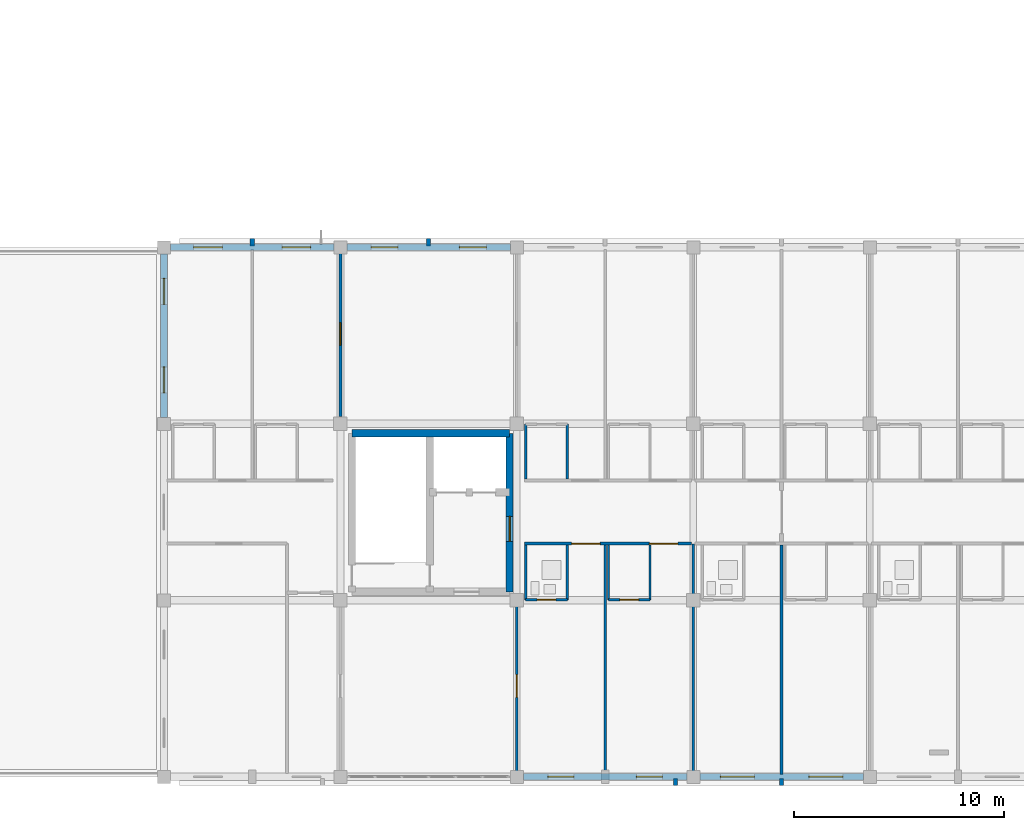
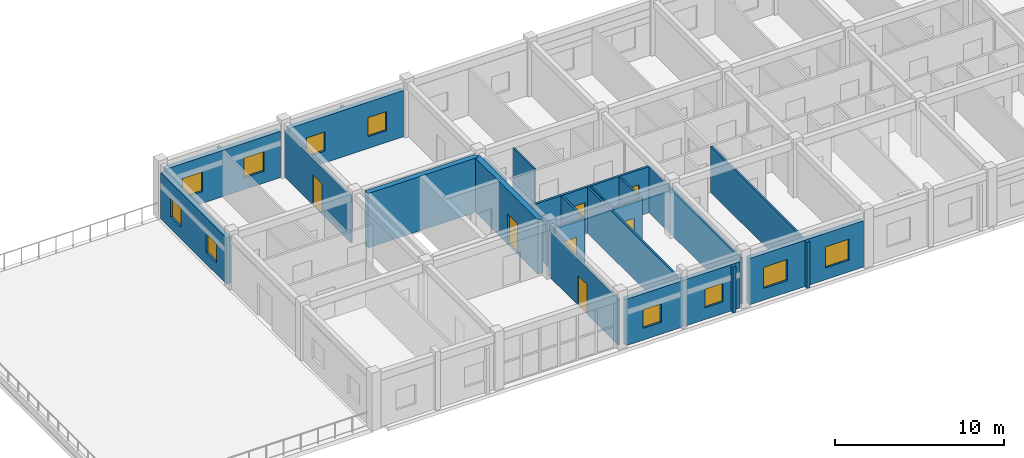
# One storey, part 58 of 81: 25 walls, 10 windows, 7 doors, 17 openings.
"""IFC4 building model written with IfcOpenShell, lengths in metres."""

from ifc_helpers import new_model, si_unit, direction, frame, frame_2d, origin, place, context, subcontext, project, spatial, rectangle, extrude, material, layer, layer_set, type_object, element, fill, save


model = new_model("IFC4")

# Units and contexts
model_context = context("Model", 3, precision=1e-05, world=origin(), true_north=direction((0.0, 1.0)))
body_context = subcontext(model_context, "Body", "Model", "MODEL_VIEW")
ifc_project = project(units=[si_unit("LENGTHUNIT", "METRE"), si_unit("AREAUNIT", "SQUARE_METRE"), si_unit("VOLUMEUNIT", "CUBIC_METRE"), si_unit("PLANEANGLEUNIT", "RADIAN"), si_unit("MASSUNIT", "GRAM", prefix="KILO")], contexts=[model_context])

# Site, building, storey
site_placement = place(None, origin())
site = spatial("IfcSite", under=ifc_project, at=site_placement, CompositionType="ELEMENT")
building_placement = place(site_placement, origin())
building = spatial("IfcBuilding", under=site, at=building_placement, Name="Trelvath General Hospital", CompositionType="ELEMENT")
storey_placement = place(building_placement, frame((0.0, 0.0, 24.60009765625)))
storey = spatial("IfcBuildingStorey", under=building, at=storey_placement, Name="L06", CompositionType="ELEMENT", Elevation=24.60009765625)

# Walls
ifc_material_1 = material(Name="Precast concrete C40/50", Category="concrete")
ifc_layer_1 = layer(ifc_material_1, 0.199951171875)
ifc_layer_set_1 = layer_set([ifc_layer_1], Name="Precast concrete C40/50")
wall_type_1 = type_object("IfcWallType", Name="BriseSoleilRib 200", PredefinedType="ELEMENTEDWALL", material=ifc_layer_set_1)
for number, where, z_axis, x_axis, name in (
    (1, (37.800048828125, 25.27490234375, 0.0), (0.0, 0.0, 1.0), (0.0, 1.0, 0.0), "Precast Concrete Brise-Soleil Rib Fin L06-411"),
    (2, (46.199951171875, 25.27490234375, 0.0), (0.0, 0.0, 1.0), (0.0, 1.0, 0.0), "Precast Concrete Brise-Soleil Rib Fin L06-417"),
    (3, (57.94970703125, -0.074951171875, 0.0), (0.0, 0.0, 1.0), (0.0, -1.0, 0.0), "Precast Concrete Brise-Soleil Rib Fin L06-419"),
    (4, (63.0, -0.074951171875, 0.0), (0.0, 0.0, 1.0), (0.0, -1.0, 0.0), "Precast Concrete Brise-Soleil Rib Fin L06-423"),
):
    element("IfcWall", number, at=place(storey_placement, frame(where, z_axis=z_axis, x_axis=x_axis)), inside=storey, type_object=wall_type_1, Name=name, PredefinedType="ELEMENTEDWALL", context=body_context, shape_type="SweptSolid", body=[
        extrude(rectangle(XDim=0.340087890625, YDim=0.199951171875, at=frame_2d((0.169921875, 0.0))), origin(), (0.0, 0.0, 1.0), 3.31982421875),
    ])

# Wall, openings, doors
ifc_material_2 = material(Name="Gypsum acoustic steel-stud partition", Category="steel")
ifc_layer_2 = layer(ifc_material_2, 0.14990234375)
ifc_layer_set_2 = layer_set([ifc_layer_2], Name="Gypsum acoustic steel-stud partition")
wall_type_2 = type_object("IfcWallType", Name="ClinicalPartition 150", PredefinedType="PARTITIONING", material=ifc_layer_set_2)
wall_1_placement = place(storey_placement, frame((50.760009765625, 11.10009765625, 0.0), z_axis=(0.0, 0.0, 1.0), x_axis=(1.0, 0.0, 0.0)))
wall_1 = element("IfcWall", 5, at=wall_1_placement, inside=storey, type_object=wall_type_2, Name="Corridor Partition L06-2046", PredefinedType="PARTITIONING", context=body_context, shape_type="SweptSolid", body=[
    extrude(rectangle(XDim=7.9599609375, YDim=0.14990234375, at=frame_2d((3.97998046875, 0.0))), origin(), (0.0, 0.0, 1.0), 3.31982421875),
])
opening_1_placement = place(wall_1_placement, frame((2.25, 0.0, 0.0)))
opening_1 = element("IfcOpeningElement", 6, at=opening_1_placement, cuts=wall_1, Name="Opening D-6-1317", PredefinedType="OPENING", context=body_context, shape_type="SweptSolid", body=[
    extrude(rectangle(XDim=1.35009765625, YDim=2.25, at=frame_2d((0.675048828125, 1.125))), frame((0.0, 0.0849609375, 0.0), z_axis=(0.0, -1.0, 0.0), x_axis=(1.0, 0.0, 0.0)), (0.0, 0.0, 1.0), 0.169921875),
])
opening_2_placement = place(wall_1_placement, frame((5.949951171875, 0.0, 0.0)))
opening_2 = element("IfcOpeningElement", 7, at=opening_2_placement, cuts=wall_1, Name="Opening D-6-1318", PredefinedType="OPENING", context=body_context, shape_type="SweptSolid", body=[
    extrude(rectangle(XDim=1.35009765625, YDim=2.25, at=frame_2d((0.675048828125, 1.125))), frame((0.0, 0.0849609375, 0.0), z_axis=(0.0, -1.0, 0.0), x_axis=(1.0, 0.0, 0.0)), (0.0, 0.0, 1.0), 0.169921875),
])
ifc_material_3 = material(Name="Airtight isolation bed door")
door_type_1 = type_object("IfcDoorType", Name="Door PatientIso 1350x2250", OperationType="NOTDEFINED", PredefinedType="DOOR", material=ifc_material_3)
door_1_placement = place(opening_1_placement, origin())
door_1 = element("IfcDoor", 8, at=door_1_placement, inside=storey, type_object=door_type_1, Name="Patient Room Door L06-1317", OperationType="SINGLE_SWING_RIGHT", OverallHeight=2.25, OverallWidth=1.35009765625, PredefinedType="DOOR", context=body_context, shape_type="SweptSolid", body=[
    extrude(rectangle(XDim=1.35009765625, YDim=2.25, at=frame_2d((0.675048828125, 1.125))), frame((0.0, 0.02490234375, 0.0), z_axis=(0.0, -1.0, 0.0), x_axis=(1.0, 0.0, 0.0)), (0.0, 0.0, 1.0), 0.050048828125),
])
fill(opening_1, door_1)
door_2_placement = place(opening_2_placement, origin())
door_2 = element("IfcDoor", 9, at=door_2_placement, inside=storey, type_object=door_type_1, Name="Patient Room Door L06-1318", OperationType="SINGLE_SWING_LEFT", OverallHeight=2.25, OverallWidth=1.35009765625, PredefinedType="DOOR", context=body_context, shape_type="SweptSolid", body=[
    extrude(rectangle(XDim=1.35009765625, YDim=2.25, at=frame_2d((0.675048828125, 1.125))), frame((0.0, 0.02490234375, 0.0), z_axis=(0.0, -1.0, 0.0), x_axis=(1.0, 0.0, 0.0)), (0.0, 0.0, 1.0), 0.050048828125),
])
fill(opening_2, door_2)

# Wall
ifc_material_4 = material(Name="Concrete C40/50", Category="concrete")
ifc_layer_3 = layer(ifc_material_4, 0.35009765625)
ifc_layer_set_3 = layer_set([ifc_layer_3], Name="Concrete C40/50")
wall_type_3 = type_object("IfcWallType", Name="CoreShearWall 350", PredefinedType="SHEAR", material=ifc_layer_set_3)
wall_2_placement = place(storey_placement, frame((42.550048828125, 16.35009765625, 0.0), z_axis=(0.0, 0.0, 1.0), x_axis=(1.0, 0.0, 0.0)))
element("IfcWall", 10, at=wall_2_placement, inside=storey, type_object=wall_type_3, Name="Core Shear Wall C4 N L06", PredefinedType="SHEAR", context=body_context, shape_type="SweptSolid", body=[
    extrude(rectangle(XDim=7.5, YDim=0.35009765625, at=frame_2d((3.75, 0.0))), origin(), (0.0, 0.0, 1.0), 3.919921875),
])

# Wall, opening, door
wall_3_placement = place(storey_placement, frame((50.050048828125, 8.800048828125, 0.0), z_axis=(0.0, 0.0, 1.0), x_axis=(0.0, 1.0, 0.0)))
wall_3 = element("IfcWall", 11, at=wall_3_placement, inside=storey, type_object=wall_type_3, Name="Core Shear Wall C4 E L06", PredefinedType="SHEAR", context=body_context, shape_type="SweptSolid", body=[
    extrude(rectangle(XDim=7.550048828125, YDim=0.35009765625, at=frame_2d((3.77490234375, 0.0))), origin(), (0.0, 0.0, 1.0), 3.919921875),
])
opening_3_placement = place(wall_3_placement, frame((2.39990234375, 0.0, 0.0)))
opening_3 = element("IfcOpeningElement", 12, at=opening_3_placement, cuts=wall_3, Name="Opening FD-LE46", PredefinedType="OPENING", context=body_context, shape_type="SweptSolid", body=[
    extrude(rectangle(XDim=1.199951171875, YDim=2.199951171875, at=frame_2d((0.60009765625, 1.10009765625))), frame((0.0, 0.18505859375, 0.0), z_axis=(0.0, -1.0, 0.0), x_axis=(1.0, 0.0, 0.0)), (0.0, 0.0, 1.0), 0.3701171875),
])
ifc_material_5 = material(Name="Fire-rated steel door", Category="steel")
door_type_2 = type_object("IfcDoorType", Name="Door FireLobby 1200x2200", OperationType="NOTDEFINED", PredefinedType="DOOR", material=ifc_material_5)
door_3_placement = place(opening_3_placement, origin())
door_3 = element("IfcDoor", 13, at=door_3_placement, inside=storey, type_object=door_type_2, Name="Fire Lobby East Corridor Door C4 L06", OperationType="SINGLE_SWING_RIGHT", OverallHeight=2.199951171875, OverallWidth=1.199951171875, PredefinedType="DOOR", context=body_context, shape_type="SweptSolid", body=[
    extrude(rectangle(XDim=1.199951171875, YDim=2.199951171875, at=frame_2d((0.60009765625, 1.10009765625))), frame((0.0, 0.02490234375, 0.0), z_axis=(0.0, -1.0, 0.0), x_axis=(1.0, 0.0, 0.0)), (0.0, 0.0, 1.0), 0.050048828125),
])
fill(opening_3, door_3)

# Walls
ifc_material_6 = material(Name="Moisture-resistant tile partition")
ifc_layer_4 = layer(ifc_material_6, 0.110107421875)
ifc_layer_set_4 = layer_set([ifc_layer_4], Name="Moisture-resistant tile partition")
wall_type_4 = type_object("IfcWallType", Name="EnSuiteWetWall 110", PredefinedType="PARTITIONING", material=ifc_layer_set_4)
for number, where, z_axis, x_axis, name in (
    (14, (50.820068359375, 8.419921875, 0.0), (0.0, 0.0, 1.0), (0.0, 1.0, 0.0), "En-Suite W Wall L06-2048"),
    (15, (52.800048828125, 8.419921875, 0.0), (0.0, 0.0, 1.0), (0.0, 1.0, 0.0), "En-Suite E Wall L06-2049"),
):
    element("IfcWall", number, at=place(storey_placement, frame(where, z_axis=z_axis, x_axis=x_axis)), inside=storey, type_object=wall_type_4, Name=name, PredefinedType="PARTITIONING", context=body_context, shape_type="SweptSolid", body=[
        extrude(rectangle(XDim=2.610107421875, YDim=0.110107421875, at=frame_2d((1.30517578125, 0.0))), origin(), (0.0, 0.0, 1.0), 3.31982421875),
    ])

# Wall, opening, door
wall_4_placement = place(storey_placement, frame((50.820068359375, 8.419921875, 0.0), z_axis=(0.0, 0.0, 1.0), x_axis=(1.0, 0.0, 0.0)))
wall_4 = element("IfcWall", 16, at=wall_4_placement, inside=storey, type_object=wall_type_4, Name="En-Suite Bathroom Partition L06-2050", PredefinedType="PARTITIONING", context=body_context, shape_type="SweptSolid", body=[
    extrude(rectangle(XDim=1.97998046875, YDim=0.110107421875, at=frame_2d((0.989990234375, 0.0))), origin(), (0.0, 0.0, 1.0), 3.31982421875),
])
opening_4_placement = place(wall_4_placement, frame((0.5400390625, 0.0, 0.0)))
opening_4 = element("IfcOpeningElement", 17, at=opening_4_placement, cuts=wall_4, Name="Opening D-6-1319", PredefinedType="OPENING", context=body_context, shape_type="SweptSolid", body=[
    extrude(rectangle(XDim=0.89990234375, YDim=2.10009765625, at=frame_2d((0.449951171875, 1.050048828125))), frame((0.0, 0.06494140625, 0.0), z_axis=(0.0, -1.0, 0.0), x_axis=(1.0, 0.0, 0.0)), (0.0, 0.0, 1.0), 0.130126953125),
])
ifc_material_7 = material(Name="Moisture-sealed timber leaf", Category="wood")
door_type_3 = type_object("IfcDoorType", Name="Door EnSuite 900x2100", OperationType="NOTDEFINED", PredefinedType="DOOR", material=ifc_material_7)
door_4_placement = place(opening_4_placement, origin())
door_4 = element("IfcDoor", 18, at=door_4_placement, inside=storey, type_object=door_type_3, Name="En-Suite Bathroom Door L06-1319", OperationType="SINGLE_SWING_RIGHT", OverallHeight=2.10009765625, OverallWidth=0.89990234375, PredefinedType="DOOR", context=body_context, shape_type="SweptSolid", body=[
    extrude(rectangle(XDim=0.89990234375, YDim=2.10009765625, at=frame_2d((0.449951171875, 1.050048828125))), frame((0.0, 0.02490234375, 0.0), z_axis=(0.0, -1.0, 0.0), x_axis=(1.0, 0.0, 0.0)), (0.0, 0.0, 1.0), 0.050048828125),
])
fill(opening_4, door_4)

# Walls
for number, where, z_axis, x_axis, name in (
    (19, (54.760009765625, 8.419921875, 0.0), (0.0, 0.0, 1.0), (0.0, 1.0, 0.0), "En-Suite W Wall L06-2051"),
    (20, (56.739990234375, 8.419921875, 0.0), (0.0, 0.0, 1.0), (0.0, 1.0, 0.0), "En-Suite E Wall L06-2052"),
):
    element("IfcWall", number, at=place(storey_placement, frame(where, z_axis=z_axis, x_axis=x_axis)), inside=storey, type_object=wall_type_4, Name=name, PredefinedType="PARTITIONING", context=body_context, shape_type="SweptSolid", body=[
        extrude(rectangle(XDim=2.610107421875, YDim=0.110107421875, at=frame_2d((1.30517578125, 0.0))), origin(), (0.0, 0.0, 1.0), 3.31982421875),
    ])

# Wall, opening, door
wall_5_placement = place(storey_placement, frame((54.760009765625, 8.419921875, 0.0), z_axis=(0.0, 0.0, 1.0), x_axis=(1.0, 0.0, 0.0)))
wall_5 = element("IfcWall", 21, at=wall_5_placement, inside=storey, type_object=wall_type_4, Name="En-Suite Bathroom Partition L06-2053", PredefinedType="PARTITIONING", context=body_context, shape_type="SweptSolid", body=[
    extrude(rectangle(XDim=1.97998046875, YDim=0.110107421875, at=frame_2d((0.989990234375, 0.0))), origin(), (0.0, 0.0, 1.0), 3.31982421875),
])
opening_5_placement = place(wall_5_placement, frame((0.5400390625, 0.0, 0.0)))
opening_5 = element("IfcOpeningElement", 22, at=opening_5_placement, cuts=wall_5, Name="Opening D-6-1320", PredefinedType="OPENING", context=body_context, shape_type="SweptSolid", body=[
    extrude(rectangle(XDim=0.89990234375, YDim=2.10009765625, at=frame_2d((0.449951171875, 1.050048828125))), frame((0.0, 0.06494140625, 0.0), z_axis=(0.0, -1.0, 0.0), x_axis=(1.0, 0.0, 0.0)), (0.0, 0.0, 1.0), 0.130126953125),
])
door_5_placement = place(opening_5_placement, origin())
door_5 = element("IfcDoor", 23, at=door_5_placement, inside=storey, type_object=door_type_3, Name="En-Suite Bathroom Door L06-1320", OperationType="SINGLE_SWING_LEFT", OverallHeight=2.10009765625, OverallWidth=0.89990234375, PredefinedType="DOOR", context=body_context, shape_type="SweptSolid", body=[
    extrude(rectangle(XDim=0.89990234375, YDim=2.10009765625, at=frame_2d((0.449951171875, 1.050048828125))), frame((0.0, 0.02490234375, 0.0), z_axis=(0.0, -1.0, 0.0), x_axis=(1.0, 0.0, 0.0)), (0.0, 0.0, 1.0), 0.050048828125),
])
fill(opening_5, door_5)

# Walls
for number, where, z_axis, x_axis, name in (
    (24, (50.820068359375, 14.169921875, 0.0), (0.0, 0.0, 1.0), (0.0, 1.0, 0.0), "En-Suite W Wall N L06-2056"),
    (25, (52.800048828125, 14.169921875, 0.0), (0.0, 0.0, 1.0), (0.0, 1.0, 0.0), "En-Suite E Wall N L06-2057"),
):
    element("IfcWall", number, at=place(storey_placement, frame(where, z_axis=z_axis, x_axis=x_axis)), inside=storey, type_object=wall_type_4, Name=name, PredefinedType="PARTITIONING", context=body_context, shape_type="SweptSolid", body=[
        extrude(rectangle(XDim=2.610107421875, YDim=0.110107421875, at=frame_2d((1.30517578125, 0.0))), origin(), (0.0, 0.0, 1.0), 3.31982421875),
    ])

# Wall, openings, windows
ifc_material_8 = material(Name="Concrete C35/45", Category="concrete")
ifc_layer_5 = layer(ifc_material_8, 0.320068359375)
ifc_layer_set_5 = layer_set([ifc_layer_5], Name="Concrete C35/45")
wall_type_5 = type_object("IfcWallType", Name="ExtThermalWall 320", PredefinedType="SOLIDWALL", material=ifc_layer_set_5)
wall_6_placement = place(storey_placement, frame((33.905029296875, 25.199951171875, 0.0), z_axis=(0.0, 0.0, 1.0), x_axis=(1.0, 0.0, 0.0)))
wall_6 = element("IfcWall", 26, at=wall_6_placement, inside=storey, type_object=wall_type_5, Name="Exterior Concrete Wall L06-553", PredefinedType="SOLIDWALL", context=body_context, shape_type="SweptSolid", body=[
    extrude(rectangle(XDim=7.7900390625, YDim=0.320068359375, at=frame_2d((3.89501953125, 0.0))), origin(), (0.0, 0.0, 1.0), 3.33984375),
])
opening_6_placement = place(wall_6_placement, frame((1.11181640625, 0.0, 0.85009765625)))
opening_6 = element("IfcOpeningElement", 27, at=opening_6_placement, cuts=wall_6, Name="Opening WN-6-921", PredefinedType="OPENING", context=body_context, shape_type="SweptSolid", body=[
    extrude(rectangle(XDim=1.360107421875, YDim=1.419921875, at=frame_2d((0.68017578125, 0.7099609375))), frame((0.0, 0.169921875, 0.0), z_axis=(0.0, -1.0, 0.0), x_axis=(1.0, 0.0, 0.0)), (0.0, 0.0, 1.0), 0.340087890625),
])
opening_7_placement = place(wall_6_placement, frame((5.318359375, 0.0, 0.85009765625)))
opening_7 = element("IfcOpeningElement", 28, at=opening_7_placement, cuts=wall_6, Name="Opening WN-6-922", PredefinedType="OPENING", context=body_context, shape_type="SweptSolid", body=[
    extrude(rectangle(XDim=1.360107421875, YDim=1.419921875, at=frame_2d((0.68017578125, 0.7099609375))), frame((0.0, 0.169921875, 0.0), z_axis=(0.0, -1.0, 0.0), x_axis=(1.0, 0.0, 0.0)), (0.0, 0.0, 1.0), 0.340087890625),
])
ifc_material_9 = material(Name="Low-E laminated glass", Category="glass")
window_type_1 = type_object("IfcWindowType", Name="Window Pathology 1360x1420", PartitioningType="DOUBLE_PANEL_VERTICAL", PredefinedType="WINDOW", material=ifc_material_9)
window_1_placement = place(opening_6_placement, origin())
window_1 = element("IfcWindow", 29, at=window_1_placement, inside=storey, type_object=window_type_1, Name="Solar Reveal Window L06-921", OverallHeight=1.419921875, OverallWidth=1.360107421875, PartitioningType="SINGLE_PANEL", PredefinedType="WINDOW", context=body_context, shape_type="SweptSolid", body=[
    extrude(rectangle(XDim=1.360107421875, YDim=1.419921875, at=frame_2d((0.68017578125, 0.7099609375))), frame((0.0, 0.030029296875, 0.0), z_axis=(0.0, -1.0, 0.0), x_axis=(1.0, 0.0, 0.0)), (0.0, 0.0, 1.0), 0.06005859375),
])
fill(opening_6, window_1)
window_2_placement = place(opening_7_placement, origin())
window_2 = element("IfcWindow", 30, at=window_2_placement, inside=storey, type_object=window_type_1, Name="Solar Reveal Window L06-922", OverallHeight=1.419921875, OverallWidth=1.360107421875, PartitioningType="SINGLE_PANEL", PredefinedType="WINDOW", context=body_context, shape_type="SweptSolid", body=[
    extrude(rectangle(XDim=1.360107421875, YDim=1.419921875, at=frame_2d((0.68017578125, 0.7099609375))), frame((0.0, 0.030029296875, 0.0), z_axis=(0.0, -1.0, 0.0), x_axis=(1.0, 0.0, 0.0)), (0.0, 0.0, 1.0), 0.06005859375),
])
fill(opening_7, window_2)

wall_7_placement = place(storey_placement, frame((33.60009765625, 17.10498046875, 0.0), z_axis=(0.0, 0.0, 1.0), x_axis=(0.0, 1.0, 0.0)))
wall_7 = element("IfcWall", 31, at=wall_7_placement, inside=storey, type_object=wall_type_5, Name="Exterior Concrete Wall L06-554", PredefinedType="SOLIDWALL", context=body_context, shape_type="SweptSolid", body=[
    extrude(rectangle(XDim=7.7900390625, YDim=0.320068359375, at=frame_2d((3.89501953125, 0.0))), origin(), (0.0, 0.0, 1.0), 3.33984375),
])
opening_8_placement = place(wall_7_placement, frame((1.171630859375, 0.0, 0.85009765625)))
opening_8 = element("IfcOpeningElement", 32, at=opening_8_placement, cuts=wall_7, Name="Opening WN-6-923", PredefinedType="OPENING", context=body_context, shape_type="SweptSolid", body=[
    extrude(rectangle(XDim=1.239990234375, YDim=1.340087890625, at=frame_2d((0.6201171875, 0.669921875))), frame((0.0, 0.169921875, 0.0), z_axis=(0.0, -1.0, 0.0), x_axis=(1.0, 0.0, 0.0)), (0.0, 0.0, 1.0), 0.340087890625),
])
opening_9_placement = place(wall_7_placement, frame((5.37841796875, 0.0, 0.85009765625)))
opening_9 = element("IfcOpeningElement", 33, at=opening_9_placement, cuts=wall_7, Name="Opening WN-6-924", PredefinedType="OPENING", context=body_context, shape_type="SweptSolid", body=[
    extrude(rectangle(XDim=1.239990234375, YDim=1.340087890625, at=frame_2d((0.6201171875, 0.669921875))), frame((0.0, 0.169921875, 0.0), z_axis=(0.0, -1.0, 0.0), x_axis=(1.0, 0.0, 0.0)), (0.0, 0.0, 1.0), 0.340087890625),
])
ifc_material_10 = material(Name="Low-E laminated glass", Category="glass")
window_type_2 = type_object("IfcWindowType", Name="Window Pharmacy 1240x1340", PartitioningType="DOUBLE_PANEL_VERTICAL", PredefinedType="WINDOW", material=ifc_material_10)
window_3_placement = place(opening_8_placement, origin())
window_3 = element("IfcWindow", 34, at=window_3_placement, inside=storey, type_object=window_type_2, Name="Solar Reveal Window L06-923", OverallHeight=1.340087890625, OverallWidth=1.239990234375, PartitioningType="SINGLE_PANEL", PredefinedType="WINDOW", context=body_context, shape_type="SweptSolid", body=[
    extrude(rectangle(XDim=1.239990234375, YDim=1.340087890625, at=frame_2d((0.6201171875, 0.669921875))), frame((0.0, 0.030029296875, 0.0), z_axis=(0.0, -1.0, 0.0), x_axis=(1.0, 0.0, 0.0)), (0.0, 0.0, 1.0), 0.06005859375),
])
fill(opening_8, window_3)
window_4_placement = place(opening_9_placement, origin())
window_4 = element("IfcWindow", 35, at=window_4_placement, inside=storey, type_object=window_type_2, Name="Solar Reveal Window L06-924", OverallHeight=1.340087890625, OverallWidth=1.239990234375, PartitioningType="SINGLE_PANEL", PredefinedType="WINDOW", context=body_context, shape_type="SweptSolid", body=[
    extrude(rectangle(XDim=1.239990234375, YDim=1.340087890625, at=frame_2d((0.6201171875, 0.669921875))), frame((0.0, 0.030029296875, 0.0), z_axis=(0.0, -1.0, 0.0), x_axis=(1.0, 0.0, 0.0)), (0.0, 0.0, 1.0), 0.06005859375),
])
fill(opening_9, window_4)

wall_8_placement = place(storey_placement, frame((42.304931640625, 25.199951171875, 0.0), z_axis=(0.0, 0.0, 1.0), x_axis=(1.0, 0.0, 0.0)))
wall_8 = element("IfcWall", 36, at=wall_8_placement, inside=storey, type_object=wall_type_5, Name="Exterior Concrete Wall L06-560", PredefinedType="SOLIDWALL", context=body_context, shape_type="SweptSolid", body=[
    extrude(rectangle(XDim=7.7900390625, YDim=0.320068359375, at=frame_2d((3.89501953125, 0.0))), origin(), (0.0, 0.0, 1.0), 3.33984375),
])
opening_10_placement = place(wall_8_placement, frame((1.151611328125, 0.0, 0.85009765625)))
opening_10 = element("IfcOpeningElement", 37, at=opening_10_placement, cuts=wall_8, Name="Opening WN-6-935", PredefinedType="OPENING", context=body_context, shape_type="SweptSolid", body=[
    extrude(rectangle(XDim=1.280029296875, YDim=1.3798828125, at=frame_2d((0.64013671875, 0.68994140625))), frame((0.0, 0.169921875, 0.0), z_axis=(0.0, -1.0, 0.0), x_axis=(1.0, 0.0, 0.0)), (0.0, 0.0, 1.0), 0.340087890625),
])
opening_11_placement = place(wall_8_placement, frame((5.3583984375, 0.0, 0.85009765625)))
opening_11 = element("IfcOpeningElement", 38, at=opening_11_placement, cuts=wall_8, Name="Opening WN-6-936", PredefinedType="OPENING", context=body_context, shape_type="SweptSolid", body=[
    extrude(rectangle(XDim=1.280029296875, YDim=1.3798828125, at=frame_2d((0.64013671875, 0.68994140625))), frame((0.0, 0.169921875, 0.0), z_axis=(0.0, -1.0, 0.0), x_axis=(1.0, 0.0, 0.0)), (0.0, 0.0, 1.0), 0.340087890625),
])
ifc_material_11 = material(Name="Low-E laminated glass", Category="glass")
window_type_3 = type_object("IfcWindowType", Name="Window Telemetry 1280x1380", PartitioningType="DOUBLE_PANEL_VERTICAL", PredefinedType="WINDOW", material=ifc_material_11)
window_5_placement = place(opening_10_placement, origin())
window_5 = element("IfcWindow", 39, at=window_5_placement, inside=storey, type_object=window_type_3, Name="Solar Reveal Window L06-935", OverallHeight=1.3798828125, OverallWidth=1.280029296875, PartitioningType="SINGLE_PANEL", PredefinedType="WINDOW", context=body_context, shape_type="SweptSolid", body=[
    extrude(rectangle(XDim=1.280029296875, YDim=1.3798828125, at=frame_2d((0.64013671875, 0.68994140625))), frame((0.0, 0.030029296875, 0.0), z_axis=(0.0, -1.0, 0.0), x_axis=(1.0, 0.0, 0.0)), (0.0, 0.0, 1.0), 0.06005859375),
])
fill(opening_10, window_5)
window_6_placement = place(opening_11_placement, origin())
window_6 = element("IfcWindow", 40, at=window_6_placement, inside=storey, type_object=window_type_3, Name="Solar Reveal Window L06-936", OverallHeight=1.3798828125, OverallWidth=1.280029296875, PartitioningType="SINGLE_PANEL", PredefinedType="WINDOW", context=body_context, shape_type="SweptSolid", body=[
    extrude(rectangle(XDim=1.280029296875, YDim=1.3798828125, at=frame_2d((0.64013671875, 0.68994140625))), frame((0.0, 0.030029296875, 0.0), z_axis=(0.0, -1.0, 0.0), x_axis=(1.0, 0.0, 0.0)), (0.0, 0.0, 1.0), 0.06005859375),
])
fill(opening_11, window_6)

wall_9_placement = place(storey_placement, frame((58.4951171875, 0.0, 0.0), z_axis=(0.0, 0.0, 1.0), x_axis=(-1.0, 0.0, 0.0)))
wall_9 = element("IfcWall", 41, at=wall_9_placement, inside=storey, type_object=wall_type_5, Name="Exterior Concrete Wall L06-562", PredefinedType="SOLIDWALL", context=body_context, shape_type="SweptSolid", body=[
    extrude(rectangle(XDim=7.7900390625, YDim=0.320068359375, at=frame_2d((3.89501953125, 0.0))), origin(), (0.0, 0.0, 1.0), 3.33984375),
])
opening_12_placement = place(wall_9_placement, frame((1.171630859375, 0.0, 0.85009765625)))
opening_12 = element("IfcOpeningElement", 42, at=opening_12_placement, cuts=wall_9, Name="Opening WN-6-939", PredefinedType="OPENING", context=body_context, shape_type="SweptSolid", body=[
    extrude(rectangle(XDim=1.239990234375, YDim=1.340087890625, at=frame_2d((0.6201171875, 0.669921875))), frame((0.0, 0.169921875, 0.0), z_axis=(0.0, -1.0, 0.0), x_axis=(1.0, 0.0, 0.0)), (0.0, 0.0, 1.0), 0.340087890625),
])
opening_13_placement = place(wall_9_placement, frame((5.37841796875, 0.0, 0.85009765625)))
opening_13 = element("IfcOpeningElement", 43, at=opening_13_placement, cuts=wall_9, Name="Opening WN-6-940", PredefinedType="OPENING", context=body_context, shape_type="SweptSolid", body=[
    extrude(rectangle(XDim=1.239990234375, YDim=1.340087890625, at=frame_2d((0.6201171875, 0.669921875))), frame((0.0, 0.169921875, 0.0), z_axis=(0.0, -1.0, 0.0), x_axis=(1.0, 0.0, 0.0)), (0.0, 0.0, 1.0), 0.340087890625),
])
window_7_placement = place(opening_12_placement, origin())
window_7 = element("IfcWindow", 44, at=window_7_placement, inside=storey, type_object=window_type_2, Name="Solar Reveal Window L06-939", OverallHeight=1.340087890625, OverallWidth=1.239990234375, PartitioningType="SINGLE_PANEL", PredefinedType="WINDOW", context=body_context, shape_type="SweptSolid", body=[
    extrude(rectangle(XDim=1.239990234375, YDim=1.340087890625, at=frame_2d((0.6201171875, 0.669921875))), frame((0.0, 0.030029296875, 0.0), z_axis=(0.0, -1.0, 0.0), x_axis=(1.0, 0.0, 0.0)), (0.0, 0.0, 1.0), 0.06005859375),
])
fill(opening_12, window_7)
window_8_placement = place(opening_13_placement, origin())
window_8 = element("IfcWindow", 45, at=window_8_placement, inside=storey, type_object=window_type_2, Name="Solar Reveal Window L06-940", OverallHeight=1.340087890625, OverallWidth=1.239990234375, PartitioningType="SINGLE_PANEL", PredefinedType="WINDOW", context=body_context, shape_type="SweptSolid", body=[
    extrude(rectangle(XDim=1.239990234375, YDim=1.340087890625, at=frame_2d((0.6201171875, 0.669921875))), frame((0.0, 0.030029296875, 0.0), z_axis=(0.0, -1.0, 0.0), x_axis=(1.0, 0.0, 0.0)), (0.0, 0.0, 1.0), 0.06005859375),
])
fill(opening_13, window_8)

wall_10_placement = place(storey_placement, frame((66.89501953125, 0.0, 0.0), z_axis=(0.0, 0.0, 1.0), x_axis=(-1.0, 0.0, 0.0)))
wall_10 = element("IfcWall", 46, at=wall_10_placement, inside=storey, type_object=wall_type_5, Name="Exterior Concrete Wall L06-566", PredefinedType="SOLIDWALL", context=body_context, shape_type="SweptSolid", body=[
    extrude(rectangle(XDim=7.7900390625, YDim=0.320068359375, at=frame_2d((3.89501953125, 0.0))), origin(), (0.0, 0.0, 1.0), 3.33984375),
])
opening_14_placement = place(wall_10_placement, frame((0.981689453125, 0.0, 0.85009765625)))
opening_14 = element("IfcOpeningElement", 47, at=opening_14_placement, cuts=wall_10, Name="Opening WN-6-947", PredefinedType="OPENING", context=body_context, shape_type="SweptSolid", body=[
    extrude(rectangle(XDim=1.6201171875, YDim=1.52001953125, at=frame_2d((0.81005859375, 0.760009765625))), frame((0.0, 0.169921875, 0.0), z_axis=(0.0, -1.0, 0.0), x_axis=(1.0, 0.0, 0.0)), (0.0, 0.0, 1.0), 0.340087890625),
])
opening_15_placement = place(wall_10_placement, frame((5.188232421875, 0.0, 0.85009765625)))
opening_15 = element("IfcOpeningElement", 48, at=opening_15_placement, cuts=wall_10, Name="Opening WN-6-948", PredefinedType="OPENING", context=body_context, shape_type="SweptSolid", body=[
    extrude(rectangle(XDim=1.6201171875, YDim=1.52001953125, at=frame_2d((0.81005859375, 0.760009765625))), frame((0.0, 0.169921875, 0.0), z_axis=(0.0, -1.0, 0.0), x_axis=(1.0, 0.0, 0.0)), (0.0, 0.0, 1.0), 0.340087890625),
])
ifc_material_12 = material(Name="Low-E laminated glass", Category="glass")
window_type_4 = type_object("IfcWindowType", Name="Window Triage 1620x1520", PartitioningType="DOUBLE_PANEL_VERTICAL", PredefinedType="WINDOW", material=ifc_material_12)
window_9_placement = place(opening_14_placement, origin())
window_9 = element("IfcWindow", 49, at=window_9_placement, inside=storey, type_object=window_type_4, Name="Solar Reveal Window L06-947", OverallHeight=1.52001953125, OverallWidth=1.6201171875, PartitioningType="SINGLE_PANEL", PredefinedType="WINDOW", context=body_context, shape_type="SweptSolid", body=[
    extrude(rectangle(XDim=1.6201171875, YDim=1.52001953125, at=frame_2d((0.81005859375, 0.760009765625))), frame((0.0, 0.030029296875, 0.0), z_axis=(0.0, -1.0, 0.0), x_axis=(1.0, 0.0, 0.0)), (0.0, 0.0, 1.0), 0.06005859375),
])
fill(opening_14, window_9)
window_10_placement = place(opening_15_placement, origin())
window_10 = element("IfcWindow", 50, at=window_10_placement, inside=storey, type_object=window_type_4, Name="Solar Reveal Window L06-948", OverallHeight=1.52001953125, OverallWidth=1.6201171875, PartitioningType="SINGLE_PANEL", PredefinedType="WINDOW", context=body_context, shape_type="SweptSolid", body=[
    extrude(rectangle(XDim=1.6201171875, YDim=1.52001953125, at=frame_2d((0.81005859375, 0.760009765625))), frame((0.0, 0.030029296875, 0.0), z_axis=(0.0, -1.0, 0.0), x_axis=(1.0, 0.0, 0.0)), (0.0, 0.0, 1.0), 0.06005859375),
])
fill(opening_15, window_10)

# Wall, opening, door
ifc_material_13 = material(Name="Gypsum acoustic steel-stud partition", Category="steel")
ifc_layer_6 = layer(ifc_material_13, 0.1298828125)
ifc_layer_set_6 = layer_set([ifc_layer_6], Name="Gypsum acoustic steel-stud partition")
wall_type_6 = type_object("IfcWallType", Name="WardPartition 130", PredefinedType="PARTITIONING", material=ifc_layer_set_6)
wall_11_placement = place(storey_placement, frame((42.0, 17.14990234375, 0.0), z_axis=(0.0, 0.0, 1.0), x_axis=(0.0, 1.0, 0.0)))
wall_11 = element("IfcWall", 51, at=wall_11_placement, inside=storey, type_object=wall_type_6, Name="Inter-Bay Ward Partition N L06-2043", PredefinedType="PARTITIONING", context=body_context, shape_type="SweptSolid", body=[
    extrude(rectangle(XDim=7.91015625, YDim=0.1298828125, at=frame_2d((3.955078125, 0.0))), origin(), (0.0, 0.0, 1.0), 3.31982421875),
])
opening_16_placement = place(wall_11_placement, frame((3.39990234375, 0.0, 0.0)))
opening_16 = element("IfcOpeningElement", 52, at=opening_16_placement, cuts=wall_11, Name="Opening D-6-1314", PredefinedType="OPENING", context=body_context, shape_type="SweptSolid", body=[
    extrude(rectangle(XDim=1.050048828125, YDim=2.199951171875, at=frame_2d((0.52490234375, 1.10009765625))), frame((0.0, 0.074951171875, 0.0), z_axis=(0.0, -1.0, 0.0), x_axis=(1.0, 0.0, 0.0)), (0.0, 0.0, 1.0), 0.14990234375),
])
ifc_material_14 = material(Name="Acoustic hospital timber leaf", Category="wood")
door_type_4 = type_object("IfcDoorType", Name="Door Consult 1050x2200", OperationType="NOTDEFINED", PredefinedType="DOOR", material=ifc_material_14)
door_6_placement = place(opening_16_placement, origin())
door_6 = element("IfcDoor", 53, at=door_6_placement, inside=storey, type_object=door_type_4, Name="Consultation Connecting Door L06-1314", OperationType="SINGLE_SWING_LEFT", OverallHeight=2.199951171875, OverallWidth=1.050048828125, PredefinedType="DOOR", context=body_context, shape_type="SweptSolid", body=[
    extrude(rectangle(XDim=1.050048828125, YDim=2.199951171875, at=frame_2d((0.52490234375, 1.10009765625))), frame((0.0, 0.02490234375, 0.0), z_axis=(0.0, -1.0, 0.0), x_axis=(1.0, 0.0, 0.0)), (0.0, 0.0, 1.0), 0.050048828125),
])
fill(opening_16, door_6)

wall_12_placement = place(storey_placement, frame((50.39990234375, 0.139892578125, 0.0), z_axis=(0.0, 0.0, 1.0), x_axis=(0.0, 1.0, 0.0)))
wall_12 = element("IfcWall", 54, at=wall_12_placement, inside=storey, type_object=wall_type_6, Name="Inter-Bay Ward Partition S L06-2044", PredefinedType="PARTITIONING", context=body_context, shape_type="SweptSolid", body=[
    extrude(rectangle(XDim=8.210205078125, YDim=0.1298828125, at=frame_2d((4.10498046875, 0.0))), origin(), (0.0, 0.0, 1.0), 3.31982421875),
])
opening_17_placement = place(wall_12_placement, frame((3.639892578125, 0.0, 0.0)))
opening_17 = element("IfcOpeningElement", 55, at=opening_17_placement, cuts=wall_12, Name="Opening D-6-1315", PredefinedType="OPENING", context=body_context, shape_type="SweptSolid", body=[
    extrude(rectangle(XDim=1.080078125, YDim=2.14990234375, at=frame_2d((0.5400390625, 1.074951171875))), frame((0.0, 0.074951171875, 0.0), z_axis=(0.0, -1.0, 0.0), x_axis=(1.0, 0.0, 0.0)), (0.0, 0.0, 1.0), 0.14990234375),
])
ifc_material_15 = material(Name="Acoustic hospital timber leaf", Category="wood")
door_type_5 = type_object("IfcDoorType", Name="Door CleanSupply 1080x2150", OperationType="NOTDEFINED", PredefinedType="DOOR", material=ifc_material_15)
door_7_placement = place(opening_17_placement, origin())
door_7 = element("IfcDoor", 56, at=door_7_placement, inside=storey, type_object=door_type_5, Name="Clean Supply Connecting Door L06-1315", OperationType="SINGLE_SWING_RIGHT", OverallHeight=2.14990234375, OverallWidth=1.080078125, PredefinedType="DOOR", context=body_context, shape_type="SweptSolid", body=[
    extrude(rectangle(XDim=1.080078125, YDim=2.14990234375, at=frame_2d((0.5400390625, 1.074951171875))), frame((0.0, 0.02490234375, 0.0), z_axis=(0.0, -1.0, 0.0), x_axis=(1.0, 0.0, 0.0)), (0.0, 0.0, 1.0), 0.050048828125),
])
fill(opening_17, door_7)

# Walls
wall_13_placement = place(storey_placement, frame((54.60009765625, 0.10009765625, 0.0), z_axis=(0.0, 0.0, 1.0), x_axis=(0.0, 1.0, 0.0)))
element("IfcWall", 57, at=wall_13_placement, inside=storey, type_object=wall_type_6, Name="Room Dividing Partition S L06-2047", PredefinedType="PARTITIONING", context=body_context, shape_type="SweptSolid", body=[
    extrude(rectangle(XDim=10.929931640625, YDim=0.1298828125, at=frame_2d((5.46484375, 0.0))), origin(), (0.0, 0.0, 1.0), 3.31982421875),
])
wall_14_placement = place(storey_placement, frame((58.800048828125, 0.139892578125, 0.0), z_axis=(0.0, 0.0, 1.0), x_axis=(0.0, 1.0, 0.0)))
element("IfcWall", 58, at=wall_14_placement, inside=storey, type_object=wall_type_6, Name="Inter-Bay Ward Partition S L06-2062", PredefinedType="PARTITIONING", context=body_context, shape_type="SweptSolid", body=[
    extrude(rectangle(XDim=10.940185546875, YDim=0.1298828125, at=frame_2d((5.47021484375, 0.0))), origin(), (0.0, 0.0, 1.0), 3.31982421875),
])
wall_15_placement = place(storey_placement, frame((63.0, 0.10009765625, 0.0), z_axis=(0.0, 0.0, 1.0), x_axis=(0.0, 1.0, 0.0)))
element("IfcWall", 59, at=wall_15_placement, inside=storey, type_object=wall_type_6, Name="Room Dividing Partition S L06-2065", PredefinedType="PARTITIONING", context=body_context, shape_type="SweptSolid", body=[
    extrude(rectangle(XDim=10.929931640625, YDim=0.1298828125, at=frame_2d((5.46484375, 0.0))), origin(), (0.0, 0.0, 1.0), 3.31982421875),
])

save(model, "model.ifc")
